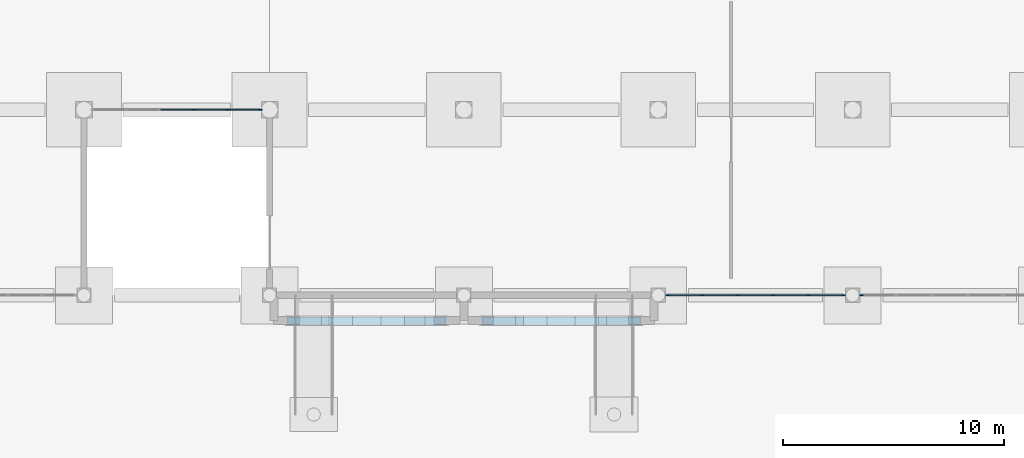
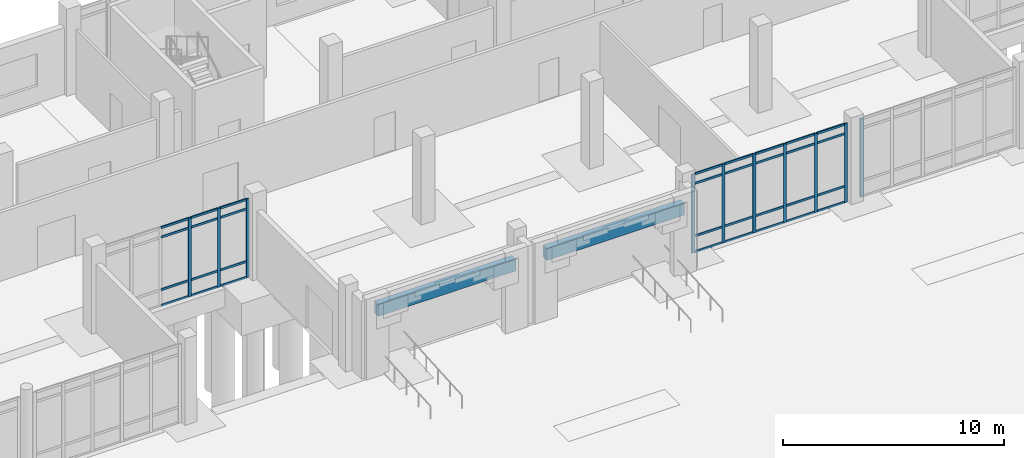
# One storey, part 20 of 72: 42 members, 2 beams, 3 elements without a shape of their own.
"""IFC4 building model written with IfcOpenShell, lengths in metres."""

from ifc_helpers import new_model, si_unit, direction, frame, origin, origin_2d, place, context, subcontext, project, spatial, rectangle, extrude, material, material_profile, profile_set, type_object, element, aggregate, save


model = new_model("IFC4")

# Units and contexts
model_context = context("Model", 3, precision=1e-05, world=origin(), true_north=direction((0.0, 1.0)))
body_context = subcontext(model_context, "Body", "Model", "MODEL_VIEW")
ifc_project = project(units=[si_unit("LENGTHUNIT", "METRE"), si_unit("AREAUNIT", "SQUARE_METRE"), si_unit("VOLUMEUNIT", "CUBIC_METRE"), si_unit("PLANEANGLEUNIT", "RADIAN"), si_unit("MASSUNIT", "GRAM", prefix="KILO")], contexts=[model_context])

# Site, building, storey
site_placement = place(None, origin())
site = spatial("IfcSite", under=ifc_project, at=site_placement, CompositionType="ELEMENT")
building_placement = place(site_placement, origin())
building = spatial("IfcBuilding", under=site, at=building_placement, Name="Cinderway Yard Community Centre", CompositionType="ELEMENT")
storey_placement = place(building_placement, origin())
storey = spatial("IfcBuildingStorey", under=building, at=storey_placement, Name="L00", CompositionType="ELEMENT", Elevation=0.0)

# Curtain wall, members
ifc_material_1 = material(Name="Aluminium 6063-T6", Category="aluminium")
curtain_wall_type_1 = type_object("IfcCurtainWallType", Name="ENV-CW-TYPE-24", PredefinedType="USERDEFINED", material=ifc_material_1)
curtain_wall_1_placement = place(storey_placement, origin())
curtain_wall_1 = element("IfcCurtainWall", 1, at=curtain_wall_1_placement, inside=storey, type_object=curtain_wall_type_1, Name="V4 Courtyard Curtain Wall ENV-CW-L00-ST-0113", ObjectType="GLAZED CURTAIN WALL", PredefinedType="USERDEFINED")
ifc_material_profile_1 = material_profile(ifc_material_1, rectangle(XDim=0.06005859375, YDim=0.159912109375, at=origin_2d()), Name="Aluminium 6063-T6")
ifc_profile_set_1 = profile_set([ifc_material_profile_1], Name="Aluminium 6063-T6")
member_type_1 = type_object("IfcMemberType", Name="ENV-CW-MULL-150", PredefinedType="MULLION", material=ifc_profile_set_1)
member_1_placement = place(storey_placement, frame((71.763916015625, 98.39990234375, 0.0), z_axis=(0.0, 0.0, 1.0), x_axis=(0.0, 1.0, 0.0)))
member_1 = element("IfcMember", 2, at=member_1_placement, type_object=member_type_1, Name="CW-24 mullion 4", PredefinedType="MULLION", context=body_context, shape_type="SweptSolid", body=[
    extrude(rectangle(XDim=0.06005859375, YDim=0.159912109375, at=origin_2d()), origin(), (0.0, 0.0, 1.0), 4.35009765625),
])
member_2_placement = place(storey_placement, frame((73.2919921875, 98.39990234375, 0.0), z_axis=(0.0, 0.0, 1.0), x_axis=(0.0, 1.0, 0.0)))
member_2 = element("IfcMember", 3, at=member_2_placement, type_object=member_type_1, Name="CW-24 mullion 5", PredefinedType="MULLION", context=body_context, shape_type="SweptSolid", body=[
    extrude(rectangle(XDim=0.06005859375, YDim=0.159912109375, at=origin_2d()), origin(), (0.0, 0.0, 1.0), 4.35009765625),
])
member_3_placement = place(storey_placement, frame((74.7900390625, 98.39990234375, 0.0), z_axis=(0.0, 0.0, 1.0), x_axis=(0.0, 1.0, 0.0)))
member_3 = element("IfcMember", 4, at=member_3_placement, type_object=member_type_1, Name="CW-24 mullion 6", PredefinedType="MULLION", context=body_context, shape_type="SweptSolid", body=[
    extrude(rectangle(XDim=0.06005859375, YDim=0.159912109375, at=origin_2d()), origin(), (0.0, 0.0, 1.0), 4.35009765625),
])

curtain_wall_type_2 = type_object("IfcCurtainWallType", Name="ENV-CW-TYPE-25", PredefinedType="USERDEFINED", material=ifc_material_1)
curtain_wall_2_placement = place(storey_placement, origin())
curtain_wall_2 = element("IfcCurtainWall", 5, at=curtain_wall_2_placement, inside=storey, type_object=curtain_wall_type_2, Name="V4 Courtyard Curtain Wall ENV-CW-L00-ST-0116", ObjectType="GLAZED CURTAIN WALL", PredefinedType="USERDEFINED")
member_4_placement = place(storey_placement, frame((93.2099609375, 90.0, 0.0), z_axis=(0.0, 0.0, 1.0), x_axis=(0.0, 1.0, 0.0)))
member_4 = element("IfcMember", 6, at=member_4_placement, type_object=member_type_1, Name="CW-25 mullion 1", PredefinedType="MULLION", context=body_context, shape_type="SweptSolid", body=[
    extrude(rectangle(XDim=0.06005859375, YDim=0.159912109375, at=origin_2d()), origin(), (0.0, 0.0, 1.0), 4.35009765625),
])
member_5_placement = place(storey_placement, frame((94.7880859375, 90.0, 0.0), z_axis=(0.0, 0.0, 1.0), x_axis=(0.0, 1.0, 0.0)))
member_5 = element("IfcMember", 7, at=member_5_placement, type_object=member_type_1, Name="CW-25 mullion 2", PredefinedType="MULLION", context=body_context, shape_type="SweptSolid", body=[
    extrude(rectangle(XDim=0.06005859375, YDim=0.159912109375, at=origin_2d()), origin(), (0.0, 0.0, 1.0), 4.35009765625),
])
member_6_placement = place(storey_placement, frame((96.39599609375, 90.0, 0.0), z_axis=(0.0, 0.0, 1.0), x_axis=(0.0, 1.0, 0.0)))
member_6 = element("IfcMember", 8, at=member_6_placement, type_object=member_type_1, Name="CW-25 mullion 3", PredefinedType="MULLION", context=body_context, shape_type="SweptSolid", body=[
    extrude(rectangle(XDim=0.06005859375, YDim=0.159912109375, at=origin_2d()), origin(), (0.0, 0.0, 1.0), 4.35009765625),
])
member_7_placement = place(storey_placement, frame((98.00390625, 90.0, 0.0), z_axis=(0.0, 0.0, 1.0), x_axis=(0.0, 1.0, 0.0)))
member_7 = element("IfcMember", 9, at=member_7_placement, type_object=member_type_1, Name="CW-25 mullion 4", PredefinedType="MULLION", context=body_context, shape_type="SweptSolid", body=[
    extrude(rectangle(XDim=0.06005859375, YDim=0.159912109375, at=origin_2d()), origin(), (0.0, 0.0, 1.0), 4.35009765625),
])
member_8_placement = place(storey_placement, frame((99.612060546875, 90.0, 0.0), z_axis=(0.0, 0.0, 1.0), x_axis=(0.0, 1.0, 0.0)))
member_8 = element("IfcMember", 10, at=member_8_placement, type_object=member_type_1, Name="CW-25 mullion 5", PredefinedType="MULLION", context=body_context, shape_type="SweptSolid", body=[
    extrude(rectangle(XDim=0.06005859375, YDim=0.159912109375, at=origin_2d()), origin(), (0.0, 0.0, 1.0), 4.35009765625),
])
member_9_placement = place(storey_placement, frame((101.18994140625, 90.0, 0.0), z_axis=(0.0, 0.0, 1.0), x_axis=(0.0, 1.0, 0.0)))
member_9 = element("IfcMember", 11, at=member_9_placement, type_object=member_type_1, Name="CW-25 mullion 6", PredefinedType="MULLION", context=body_context, shape_type="SweptSolid", body=[
    extrude(rectangle(XDim=0.06005859375, YDim=0.159912109375, at=origin_2d()), origin(), (0.0, 0.0, 1.0), 4.35009765625),
])

# Curtain wall, member
curtain_wall_3_placement = place(storey_placement, origin())
curtain_wall_3 = element("IfcCurtainWall", 12, at=curtain_wall_3_placement, inside=storey, type_object=curtain_wall_type_2, Name="V4 Courtyard Curtain Wall ENV-CW-L00-ST-0117", ObjectType="GLAZED CURTAIN WALL", PredefinedType="USERDEFINED")
member_10_placement = place(storey_placement, frame((102.010009765625, 90.0, 0.0), z_axis=(0.0, 0.0, 1.0), x_axis=(0.0, 1.0, 0.0)))
member_10 = element("IfcMember", 13, at=member_10_placement, type_object=member_type_1, Name="CW-25 mullion 1", PredefinedType="MULLION", context=body_context, shape_type="SweptSolid", body=[
    extrude(rectangle(XDim=0.06005859375, YDim=0.159912109375, at=origin_2d()), origin(), (0.0, 0.0, 1.0), 4.35009765625),
])
aggregate(curtain_wall_3, [member_10])

# Member
ifc_material_profile_2 = material_profile(ifc_material_1, rectangle(XDim=0.06005859375, YDim=0.1201171875, at=origin_2d()), Name="Aluminium 6063-T6")
ifc_profile_set_2 = profile_set([ifc_material_profile_2], Name="Aluminium 6063-T6")
member_type_2 = type_object("IfcMemberType", Name="ENV-CW-TRAN-110", PredefinedType="USERDEFINED", material=ifc_profile_set_2)
member_11_placement = place(storey_placement, frame((70.26611328125, 98.39990234375, 0.030029296875), z_axis=(1.0, 0.0, 0.0), x_axis=(0.0, 1.0, 0.0)))
member_11 = element("IfcMember", 14, at=member_11_placement, type_object=member_type_2, Name="CW-24 transom 3.1", ObjectType="TRANSOM", PredefinedType="USERDEFINED", context=body_context, shape_type="SweptSolid", body=[
    extrude(rectangle(XDim=0.06005859375, YDim=0.1201171875, at=origin_2d()), origin(), (0.0, 0.0, 1.0), 1.4677734375),
])

member_12_placement = place(storey_placement, frame((70.26611328125, 98.39990234375, 0.89990234375), z_axis=(1.0, 0.0, 0.0), x_axis=(0.0, 1.0, 0.0)))
member_12 = element("IfcMember", 15, at=member_12_placement, type_object=member_type_2, Name="CW-24 transom 3.2", ObjectType="TRANSOM", PredefinedType="USERDEFINED", context=body_context, shape_type="SweptSolid", body=[
    extrude(rectangle(XDim=0.06005859375, YDim=0.1201171875, at=origin_2d()), origin(), (0.0, 0.0, 1.0), 1.4677734375),
])

member_13_placement = place(storey_placement, frame((70.26611328125, 98.39990234375, 3.800048828125), z_axis=(1.0, 0.0, 0.0), x_axis=(0.0, 1.0, 0.0)))
member_13 = element("IfcMember", 16, at=member_13_placement, type_object=member_type_2, Name="CW-24 transom 3.3", ObjectType="TRANSOM", PredefinedType="USERDEFINED", context=body_context, shape_type="SweptSolid", body=[
    extrude(rectangle(XDim=0.06005859375, YDim=0.1201171875, at=origin_2d()), origin(), (0.0, 0.0, 1.0), 1.4677734375),
])

member_14_placement = place(storey_placement, frame((70.26611328125, 98.39990234375, 4.320068359375), z_axis=(1.0, 0.0, 0.0), x_axis=(0.0, 1.0, 0.0)))
member_14 = element("IfcMember", 17, at=member_14_placement, type_object=member_type_2, Name="CW-24 transom 3.4", ObjectType="TRANSOM", PredefinedType="USERDEFINED", context=body_context, shape_type="SweptSolid", body=[
    extrude(rectangle(XDim=0.06005859375, YDim=0.1201171875, at=origin_2d()), origin(), (0.0, 0.0, 1.0), 1.4677734375),
])

member_15_placement = place(storey_placement, frame((71.7939453125, 98.39990234375, 0.030029296875), z_axis=(1.0, 0.0, 0.0), x_axis=(0.0, 1.0, 0.0)))
member_15 = element("IfcMember", 18, at=member_15_placement, type_object=member_type_2, Name="CW-24 transom 4.1", ObjectType="TRANSOM", PredefinedType="USERDEFINED", context=body_context, shape_type="SweptSolid", body=[
    extrude(rectangle(XDim=0.06005859375, YDim=0.1201171875, at=origin_2d()), origin(), (0.0, 0.0, 1.0), 1.468017578125),
])

member_16_placement = place(storey_placement, frame((71.7939453125, 98.39990234375, 0.89990234375), z_axis=(1.0, 0.0, 0.0), x_axis=(0.0, 1.0, 0.0)))
member_16 = element("IfcMember", 19, at=member_16_placement, type_object=member_type_2, Name="CW-24 transom 4.2", ObjectType="TRANSOM", PredefinedType="USERDEFINED", context=body_context, shape_type="SweptSolid", body=[
    extrude(rectangle(XDim=0.06005859375, YDim=0.1201171875, at=origin_2d()), origin(), (0.0, 0.0, 1.0), 1.468017578125),
])

member_17_placement = place(storey_placement, frame((71.7939453125, 98.39990234375, 3.800048828125), z_axis=(1.0, 0.0, 0.0), x_axis=(0.0, 1.0, 0.0)))
member_17 = element("IfcMember", 20, at=member_17_placement, type_object=member_type_2, Name="CW-24 transom 4.3", ObjectType="TRANSOM", PredefinedType="USERDEFINED", context=body_context, shape_type="SweptSolid", body=[
    extrude(rectangle(XDim=0.06005859375, YDim=0.1201171875, at=origin_2d()), origin(), (0.0, 0.0, 1.0), 1.468017578125),
])

member_18_placement = place(storey_placement, frame((71.7939453125, 98.39990234375, 4.320068359375), z_axis=(1.0, 0.0, 0.0), x_axis=(0.0, 1.0, 0.0)))
member_18 = element("IfcMember", 21, at=member_18_placement, type_object=member_type_2, Name="CW-24 transom 4.4", ObjectType="TRANSOM", PredefinedType="USERDEFINED", context=body_context, shape_type="SweptSolid", body=[
    extrude(rectangle(XDim=0.06005859375, YDim=0.1201171875, at=origin_2d()), origin(), (0.0, 0.0, 1.0), 1.468017578125),
])

member_19_placement = place(storey_placement, frame((73.322021484375, 98.39990234375, 0.030029296875), z_axis=(1.0, 0.0, 0.0), x_axis=(0.0, 1.0, 0.0)))
member_19 = element("IfcMember", 22, at=member_19_placement, type_object=member_type_2, Name="CW-24 transom 5.1", ObjectType="TRANSOM", PredefinedType="USERDEFINED", context=body_context, shape_type="SweptSolid", body=[
    extrude(rectangle(XDim=0.06005859375, YDim=0.1201171875, at=origin_2d()), origin(), (0.0, 0.0, 1.0), 1.43798828125),
])

member_20_placement = place(storey_placement, frame((73.322021484375, 98.39990234375, 0.89990234375), z_axis=(1.0, 0.0, 0.0), x_axis=(0.0, 1.0, 0.0)))
member_20 = element("IfcMember", 23, at=member_20_placement, type_object=member_type_2, Name="CW-24 transom 5.2", ObjectType="TRANSOM", PredefinedType="USERDEFINED", context=body_context, shape_type="SweptSolid", body=[
    extrude(rectangle(XDim=0.06005859375, YDim=0.1201171875, at=origin_2d()), origin(), (0.0, 0.0, 1.0), 1.43798828125),
])

member_21_placement = place(storey_placement, frame((73.322021484375, 98.39990234375, 3.800048828125), z_axis=(1.0, 0.0, 0.0), x_axis=(0.0, 1.0, 0.0)))
member_21 = element("IfcMember", 24, at=member_21_placement, type_object=member_type_2, Name="CW-24 transom 5.3", ObjectType="TRANSOM", PredefinedType="USERDEFINED", context=body_context, shape_type="SweptSolid", body=[
    extrude(rectangle(XDim=0.06005859375, YDim=0.1201171875, at=origin_2d()), origin(), (0.0, 0.0, 1.0), 1.43798828125),
])

member_22_placement = place(storey_placement, frame((73.322021484375, 98.39990234375, 4.320068359375), z_axis=(1.0, 0.0, 0.0), x_axis=(0.0, 1.0, 0.0)))
member_22 = element("IfcMember", 25, at=member_22_placement, type_object=member_type_2, Name="CW-24 transom 5.4", ObjectType="TRANSOM", PredefinedType="USERDEFINED", context=body_context, shape_type="SweptSolid", body=[
    extrude(rectangle(XDim=0.06005859375, YDim=0.1201171875, at=origin_2d()), origin(), (0.0, 0.0, 1.0), 1.43798828125),
])

aggregate(curtain_wall_1, [member_1, member_2, member_3, member_11, member_12, member_13, member_14, member_15, member_16, member_17, member_18, member_19, member_20, member_21, member_22])

member_23_placement = place(storey_placement, frame((93.239990234375, 90.0, 0.030029296875), z_axis=(1.0, 0.0, 0.0), x_axis=(0.0, 1.0, 0.0)))
member_23 = element("IfcMember", 26, at=member_23_placement, type_object=member_type_2, Name="CW-25 transom 1.1", ObjectType="TRANSOM", PredefinedType="USERDEFINED", context=body_context, shape_type="SweptSolid", body=[
    extrude(rectangle(XDim=0.06005859375, YDim=0.1201171875, at=origin_2d()), origin(), (0.0, 0.0, 1.0), 1.51806640625),
])

member_24_placement = place(storey_placement, frame((93.239990234375, 90.0, 0.89990234375), z_axis=(1.0, 0.0, 0.0), x_axis=(0.0, 1.0, 0.0)))
member_24 = element("IfcMember", 27, at=member_24_placement, type_object=member_type_2, Name="CW-25 transom 1.2", ObjectType="TRANSOM", PredefinedType="USERDEFINED", context=body_context, shape_type="SweptSolid", body=[
    extrude(rectangle(XDim=0.06005859375, YDim=0.1201171875, at=origin_2d()), origin(), (0.0, 0.0, 1.0), 1.51806640625),
])

member_25_placement = place(storey_placement, frame((93.239990234375, 90.0, 3.800048828125), z_axis=(1.0, 0.0, 0.0), x_axis=(0.0, 1.0, 0.0)))
member_25 = element("IfcMember", 28, at=member_25_placement, type_object=member_type_2, Name="CW-25 transom 1.3", ObjectType="TRANSOM", PredefinedType="USERDEFINED", context=body_context, shape_type="SweptSolid", body=[
    extrude(rectangle(XDim=0.06005859375, YDim=0.1201171875, at=origin_2d()), origin(), (0.0, 0.0, 1.0), 1.51806640625),
])

member_26_placement = place(storey_placement, frame((93.239990234375, 90.0, 4.320068359375), z_axis=(1.0, 0.0, 0.0), x_axis=(0.0, 1.0, 0.0)))
member_26 = element("IfcMember", 29, at=member_26_placement, type_object=member_type_2, Name="CW-25 transom 1.4", ObjectType="TRANSOM", PredefinedType="USERDEFINED", context=body_context, shape_type="SweptSolid", body=[
    extrude(rectangle(XDim=0.06005859375, YDim=0.1201171875, at=origin_2d()), origin(), (0.0, 0.0, 1.0), 1.51806640625),
])

member_27_placement = place(storey_placement, frame((94.818115234375, 90.0, 0.030029296875), z_axis=(1.0, 0.0, 0.0), x_axis=(0.0, 1.0, 0.0)))
member_27 = element("IfcMember", 30, at=member_27_placement, type_object=member_type_2, Name="CW-25 transom 2.1", ObjectType="TRANSOM", PredefinedType="USERDEFINED", context=body_context, shape_type="SweptSolid", body=[
    extrude(rectangle(XDim=0.06005859375, YDim=0.1201171875, at=origin_2d()), origin(), (0.0, 0.0, 1.0), 1.5478515625),
])

member_28_placement = place(storey_placement, frame((94.818115234375, 90.0, 0.89990234375), z_axis=(1.0, 0.0, 0.0), x_axis=(0.0, 1.0, 0.0)))
member_28 = element("IfcMember", 31, at=member_28_placement, type_object=member_type_2, Name="CW-25 transom 2.2", ObjectType="TRANSOM", PredefinedType="USERDEFINED", context=body_context, shape_type="SweptSolid", body=[
    extrude(rectangle(XDim=0.06005859375, YDim=0.1201171875, at=origin_2d()), origin(), (0.0, 0.0, 1.0), 1.5478515625),
])

member_29_placement = place(storey_placement, frame((94.818115234375, 90.0, 3.800048828125), z_axis=(1.0, 0.0, 0.0), x_axis=(0.0, 1.0, 0.0)))
member_29 = element("IfcMember", 32, at=member_29_placement, type_object=member_type_2, Name="CW-25 transom 2.3", ObjectType="TRANSOM", PredefinedType="USERDEFINED", context=body_context, shape_type="SweptSolid", body=[
    extrude(rectangle(XDim=0.06005859375, YDim=0.1201171875, at=origin_2d()), origin(), (0.0, 0.0, 1.0), 1.5478515625),
])

member_30_placement = place(storey_placement, frame((94.818115234375, 90.0, 4.320068359375), z_axis=(1.0, 0.0, 0.0), x_axis=(0.0, 1.0, 0.0)))
member_30 = element("IfcMember", 33, at=member_30_placement, type_object=member_type_2, Name="CW-25 transom 2.4", ObjectType="TRANSOM", PredefinedType="USERDEFINED", context=body_context, shape_type="SweptSolid", body=[
    extrude(rectangle(XDim=0.06005859375, YDim=0.1201171875, at=origin_2d()), origin(), (0.0, 0.0, 1.0), 1.5478515625),
])

member_31_placement = place(storey_placement, frame((96.426025390625, 90.0, 0.030029296875), z_axis=(1.0, 0.0, 0.0), x_axis=(0.0, 1.0, 0.0)))
member_31 = element("IfcMember", 34, at=member_31_placement, type_object=member_type_2, Name="CW-25 transom 3.1", ObjectType="TRANSOM", PredefinedType="USERDEFINED", context=body_context, shape_type="SweptSolid", body=[
    extrude(rectangle(XDim=0.06005859375, YDim=0.1201171875, at=origin_2d()), origin(), (0.0, 0.0, 1.0), 1.548095703125),
])

member_32_placement = place(storey_placement, frame((96.426025390625, 90.0, 0.89990234375), z_axis=(1.0, 0.0, 0.0), x_axis=(0.0, 1.0, 0.0)))
member_32 = element("IfcMember", 35, at=member_32_placement, type_object=member_type_2, Name="CW-25 transom 3.2", ObjectType="TRANSOM", PredefinedType="USERDEFINED", context=body_context, shape_type="SweptSolid", body=[
    extrude(rectangle(XDim=0.06005859375, YDim=0.1201171875, at=origin_2d()), origin(), (0.0, 0.0, 1.0), 1.548095703125),
])

member_33_placement = place(storey_placement, frame((96.426025390625, 90.0, 3.800048828125), z_axis=(1.0, 0.0, 0.0), x_axis=(0.0, 1.0, 0.0)))
member_33 = element("IfcMember", 36, at=member_33_placement, type_object=member_type_2, Name="CW-25 transom 3.3", ObjectType="TRANSOM", PredefinedType="USERDEFINED", context=body_context, shape_type="SweptSolid", body=[
    extrude(rectangle(XDim=0.06005859375, YDim=0.1201171875, at=origin_2d()), origin(), (0.0, 0.0, 1.0), 1.548095703125),
])

member_34_placement = place(storey_placement, frame((96.426025390625, 90.0, 4.320068359375), z_axis=(1.0, 0.0, 0.0), x_axis=(0.0, 1.0, 0.0)))
member_34 = element("IfcMember", 37, at=member_34_placement, type_object=member_type_2, Name="CW-25 transom 3.4", ObjectType="TRANSOM", PredefinedType="USERDEFINED", context=body_context, shape_type="SweptSolid", body=[
    extrude(rectangle(XDim=0.06005859375, YDim=0.1201171875, at=origin_2d()), origin(), (0.0, 0.0, 1.0), 1.548095703125),
])

member_35_placement = place(storey_placement, frame((98.033935546875, 90.0, 0.030029296875), z_axis=(1.0, 0.0, 0.0), x_axis=(0.0, 1.0, 0.0)))
member_35 = element("IfcMember", 38, at=member_35_placement, type_object=member_type_2, Name="CW-25 transom 4.1", ObjectType="TRANSOM", PredefinedType="USERDEFINED", context=body_context, shape_type="SweptSolid", body=[
    extrude(rectangle(XDim=0.06005859375, YDim=0.1201171875, at=origin_2d()), origin(), (0.0, 0.0, 1.0), 1.548095703125),
])

member_36_placement = place(storey_placement, frame((98.033935546875, 90.0, 0.89990234375), z_axis=(1.0, 0.0, 0.0), x_axis=(0.0, 1.0, 0.0)))
member_36 = element("IfcMember", 39, at=member_36_placement, type_object=member_type_2, Name="CW-25 transom 4.2", ObjectType="TRANSOM", PredefinedType="USERDEFINED", context=body_context, shape_type="SweptSolid", body=[
    extrude(rectangle(XDim=0.06005859375, YDim=0.1201171875, at=origin_2d()), origin(), (0.0, 0.0, 1.0), 1.548095703125),
])

member_37_placement = place(storey_placement, frame((98.033935546875, 90.0, 3.800048828125), z_axis=(1.0, 0.0, 0.0), x_axis=(0.0, 1.0, 0.0)))
member_37 = element("IfcMember", 40, at=member_37_placement, type_object=member_type_2, Name="CW-25 transom 4.3", ObjectType="TRANSOM", PredefinedType="USERDEFINED", context=body_context, shape_type="SweptSolid", body=[
    extrude(rectangle(XDim=0.06005859375, YDim=0.1201171875, at=origin_2d()), origin(), (0.0, 0.0, 1.0), 1.548095703125),
])

member_38_placement = place(storey_placement, frame((98.033935546875, 90.0, 4.320068359375), z_axis=(1.0, 0.0, 0.0), x_axis=(0.0, 1.0, 0.0)))
member_38 = element("IfcMember", 41, at=member_38_placement, type_object=member_type_2, Name="CW-25 transom 4.4", ObjectType="TRANSOM", PredefinedType="USERDEFINED", context=body_context, shape_type="SweptSolid", body=[
    extrude(rectangle(XDim=0.06005859375, YDim=0.1201171875, at=origin_2d()), origin(), (0.0, 0.0, 1.0), 1.548095703125),
])

member_39_placement = place(storey_placement, frame((99.64208984375, 90.0, 0.030029296875), z_axis=(1.0, 0.0, 0.0), x_axis=(0.0, 1.0, 0.0)))
member_39 = element("IfcMember", 42, at=member_39_placement, type_object=member_type_2, Name="CW-25 transom 5.1", ObjectType="TRANSOM", PredefinedType="USERDEFINED", context=body_context, shape_type="SweptSolid", body=[
    extrude(rectangle(XDim=0.06005859375, YDim=0.1201171875, at=origin_2d()), origin(), (0.0, 0.0, 1.0), 1.517822265625),
])

member_40_placement = place(storey_placement, frame((99.64208984375, 90.0, 0.89990234375), z_axis=(1.0, 0.0, 0.0), x_axis=(0.0, 1.0, 0.0)))
member_40 = element("IfcMember", 43, at=member_40_placement, type_object=member_type_2, Name="CW-25 transom 5.2", ObjectType="TRANSOM", PredefinedType="USERDEFINED", context=body_context, shape_type="SweptSolid", body=[
    extrude(rectangle(XDim=0.06005859375, YDim=0.1201171875, at=origin_2d()), origin(), (0.0, 0.0, 1.0), 1.517822265625),
])

member_41_placement = place(storey_placement, frame((99.64208984375, 90.0, 3.800048828125), z_axis=(1.0, 0.0, 0.0), x_axis=(0.0, 1.0, 0.0)))
member_41 = element("IfcMember", 44, at=member_41_placement, type_object=member_type_2, Name="CW-25 transom 5.3", ObjectType="TRANSOM", PredefinedType="USERDEFINED", context=body_context, shape_type="SweptSolid", body=[
    extrude(rectangle(XDim=0.06005859375, YDim=0.1201171875, at=origin_2d()), origin(), (0.0, 0.0, 1.0), 1.517822265625),
])

member_42_placement = place(storey_placement, frame((99.64208984375, 90.0, 4.320068359375), z_axis=(1.0, 0.0, 0.0), x_axis=(0.0, 1.0, 0.0)))
member_42 = element("IfcMember", 45, at=member_42_placement, type_object=member_type_2, Name="CW-25 transom 5.4", ObjectType="TRANSOM", PredefinedType="USERDEFINED", context=body_context, shape_type="SweptSolid", body=[
    extrude(rectangle(XDim=0.06005859375, YDim=0.1201171875, at=origin_2d()), origin(), (0.0, 0.0, 1.0), 1.517822265625),
])

aggregate(curtain_wall_2, [member_4, member_5, member_6, member_7, member_8, member_9, member_23, member_24, member_25, member_26, member_27, member_28, member_29, member_30, member_31, member_32, member_33, member_34, member_35, member_36, member_37, member_38, member_39, member_40, member_41, member_42])

# Beams
ifc_material_2 = material(Name="Concrete C35/45", Category="concrete")
ifc_material_profile_3 = material_profile(ifc_material_2, rectangle(XDim=0.35009765625, YDim=0.64990234375, at=origin_2d()), Name="Concrete C35/45")
ifc_profile_set_3 = profile_set([ifc_material_profile_3], Name="Concrete C35/45")
beam_type = type_object("IfcBeamType", Name="STR-BM-RC350X650", PredefinedType="BEAM", material=ifc_profile_set_3)
for number, where, z_axis, x_axis, name in (
    (46, (76.010009765625, 88.85009765625, 3.625), (1.0, 0.0, 0.0), (0.0, 1.0, 0.0), "Civic Reception West Arched Niche Lintel 07"),
    (47, (84.81005859375, 88.85009765625, 3.625), (1.0, 0.0, 0.0), (0.0, 1.0, 0.0), "Civic Reception East Arched Niche Lintel 08"),
):
    element("IfcBeam", number, at=place(storey_placement, frame(where, z_axis=z_axis, x_axis=x_axis)), inside=storey, type_object=beam_type, Name=name, PredefinedType="BEAM", context=body_context, shape_type="SweptSolid", body=[
        extrude(rectangle(XDim=0.35009765625, YDim=0.64990234375, at=origin_2d()), origin(), (0.0, 0.0, 1.0), 7.179931640625),
    ])

save(model, "model.ifc")
